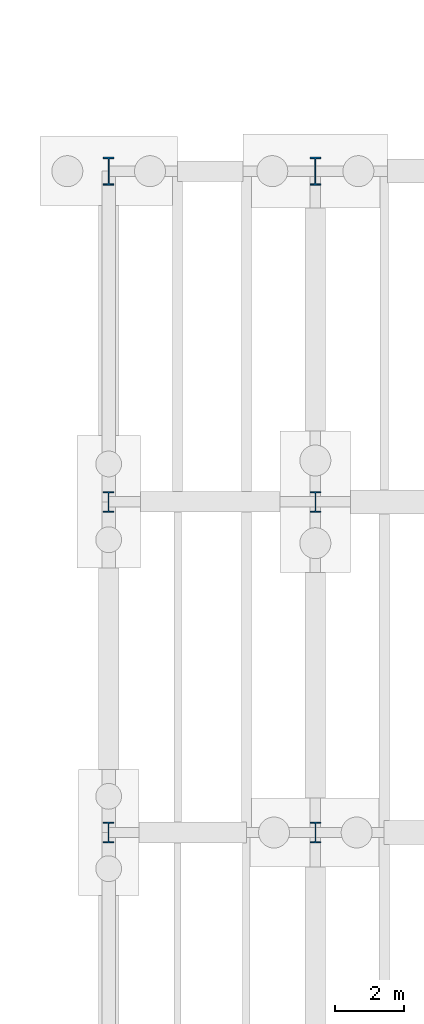
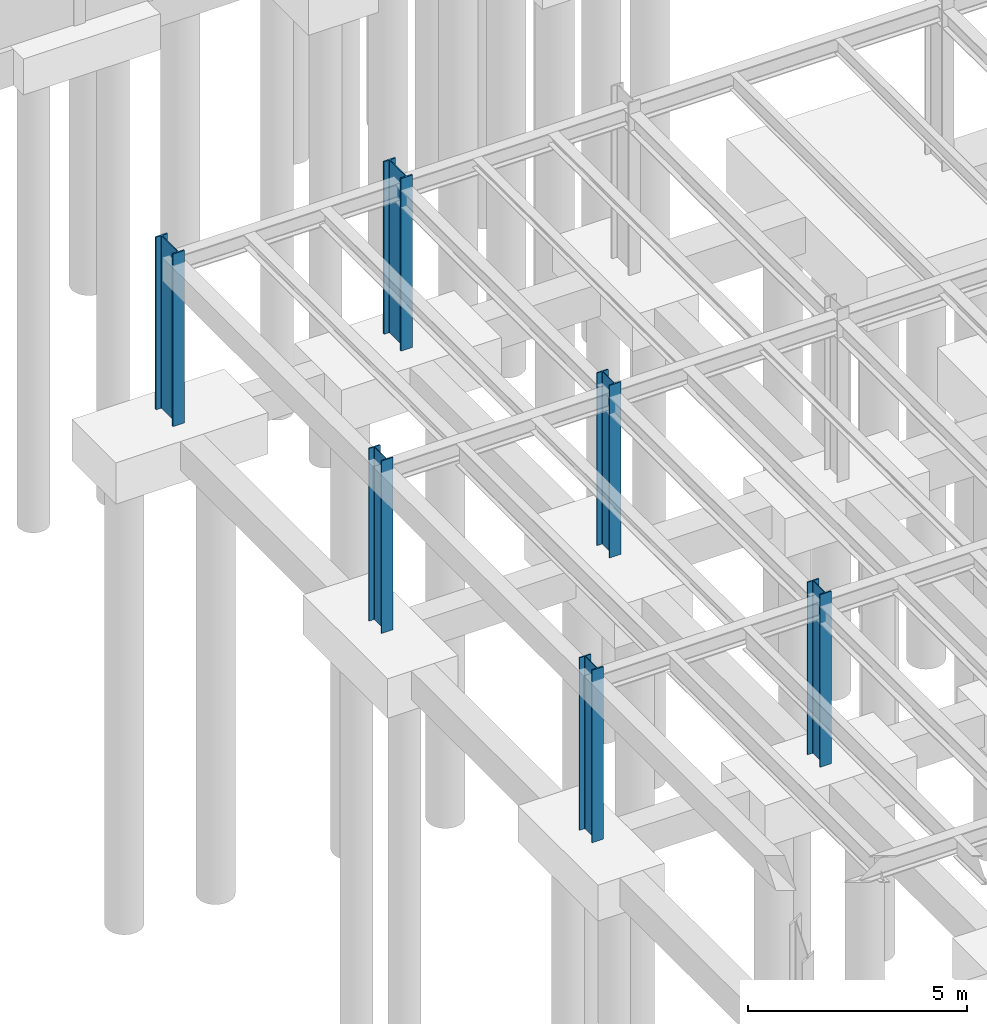
# One storey, part 21 of 59: 6 columns.
"""IFC4 building model written with IfcOpenShell, lengths in metres."""

from ifc_helpers import new_model, si_unit, direction, frame, origin, origin_2d, place, context, subcontext, project, spatial, i_section, extrude, material, material_profile, profile_set, type_object, element, save


model = new_model("IFC4")

# Units and contexts
model_context = context("Model", 3, precision=1e-05, world=origin(), true_north=direction((0.0, 1.0)))
body_context = subcontext(model_context, "Body", "Model", "MODEL_VIEW")
ifc_project = project(units=[si_unit("LENGTHUNIT", "METRE"), si_unit("AREAUNIT", "SQUARE_METRE"), si_unit("VOLUMEUNIT", "CUBIC_METRE"), si_unit("PLANEANGLEUNIT", "RADIAN"), si_unit("MASSUNIT", "GRAM", prefix="KILO")], contexts=[model_context])

# Site, building, storey
site_placement = place(None, origin())
site = spatial("IfcSite", under=ifc_project, at=site_placement, CompositionType="ELEMENT")
building_placement = place(site_placement, origin())
building = spatial("IfcBuilding", under=site, at=building_placement, Name="Montealbar Specialist Clinic", CompositionType="ELEMENT")
storey_placement = place(building_placement, frame((0.0, 0.0, -4.800048828125)))
storey = spatial("IfcBuildingStorey", under=building, at=storey_placement, Name="B01", CompositionType="ELEMENT", Elevation=-4.800048828125)

# Columns
ifc_material = material(Name="Steel S355", Category="steel")
ifc_material_profile_1 = material_profile(ifc_material, i_section(OverallWidth=0.302978515625, OverallDepth=0.81396484375, WebThickness=0.02099609375, FlangeThickness=0.0400390625, FilletRadius=0.030029296875, at=origin_2d()), Name="HEM 800", Category="steel")
ifc_profile_set_1 = profile_set([ifc_material_profile_1], Name="Steel S355")
column_type_1 = type_object("IfcColumnType", Name="COL-S-B01-HVY-EXT", PredefinedType="COLUMN", material=ifc_profile_set_1)
for number, where, z_axis, x_axis, name in (
    (1, (54.0, 81.0, 0.0), (0.0, 0.0, 1.0), (1.0, 0.0, 0.0), "Column 7/K B01"),
    (2, (60.0, 81.0, 0.0), (0.0, 0.0, 1.0), (1.0, 0.0, 0.0), "Column 8/K B01"),
):
    element("IfcColumn", number, at=place(storey_placement, frame(where, z_axis=z_axis, x_axis=x_axis)), inside=storey, type_object=column_type_1, Name=name, PredefinedType="COLUMN", context=body_context, shape_type="SweptSolid", body=[
        extrude(i_section(OverallWidth=0.302978515625, OverallDepth=0.81396484375, WebThickness=0.02099609375, FlangeThickness=0.0400390625, FilletRadius=0.030029296875, at=origin_2d()), origin(), (0.0, 0.0, 1.0), 4.800048828125),
    ])
ifc_material_profile_2 = material_profile(ifc_material, i_section(OverallWidth=0.300048828125, OverallDepth=0.60009765625, WebThickness=0.015380859375, FlangeThickness=0.030029296875, FilletRadius=0.027099609375, at=origin_2d()), Name="HEB 600", Category="steel")
ifc_profile_set_2 = profile_set([ifc_material_profile_2], Name="Steel S355")
column_type_2 = type_object("IfcColumnType", Name="COL-S-B01-STD-EXT", PredefinedType="COLUMN", material=ifc_profile_set_2)
for number, where, z_axis, x_axis, name in (
    (3, (54.0, 61.800048828125, 0.0), (0.0, 0.0, 1.0), (1.0, 0.0, 0.0), "Column 7/H B01"),
    (4, (54.0, 71.39990234375, 0.0), (0.0, 0.0, 1.0), (1.0, 0.0, 0.0), "Column 7/J B01"),
    (5, (60.0, 61.800048828125, 0.0), (0.0, 0.0, 1.0), (1.0, 0.0, 0.0), "Column 8/H B01"),
    (6, (60.0, 71.39990234375, 0.0), (0.0, 0.0, 1.0), (1.0, 0.0, 0.0), "Column 8/J B01"),
):
    element("IfcColumn", number, at=place(storey_placement, frame(where, z_axis=z_axis, x_axis=x_axis)), inside=storey, type_object=column_type_2, Name=name, PredefinedType="COLUMN", context=body_context, shape_type="SweptSolid", body=[
        extrude(i_section(OverallWidth=0.300048828125, OverallDepth=0.60009765625, WebThickness=0.015380859375, FlangeThickness=0.030029296875, FilletRadius=0.027099609375, at=origin_2d()), origin(), (0.0, 0.0, 1.0), 4.800048828125),
    ])

save(model, "model.ifc")
